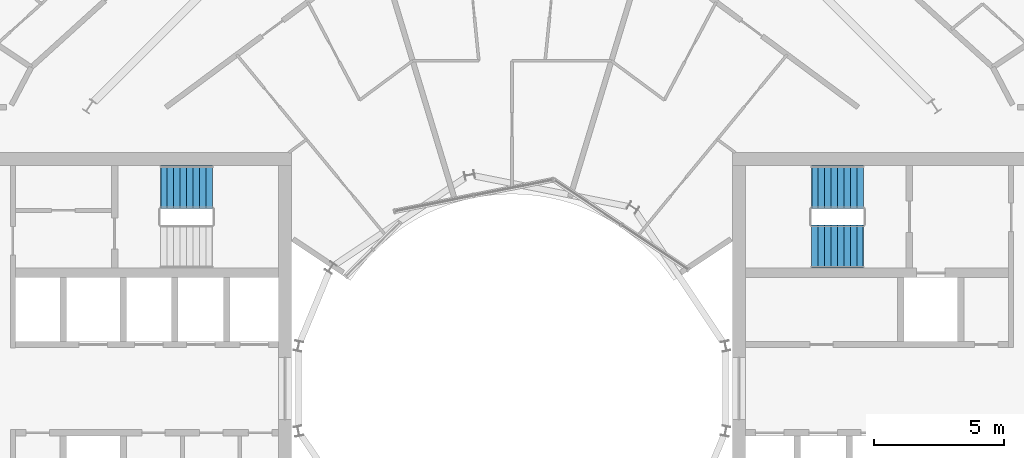
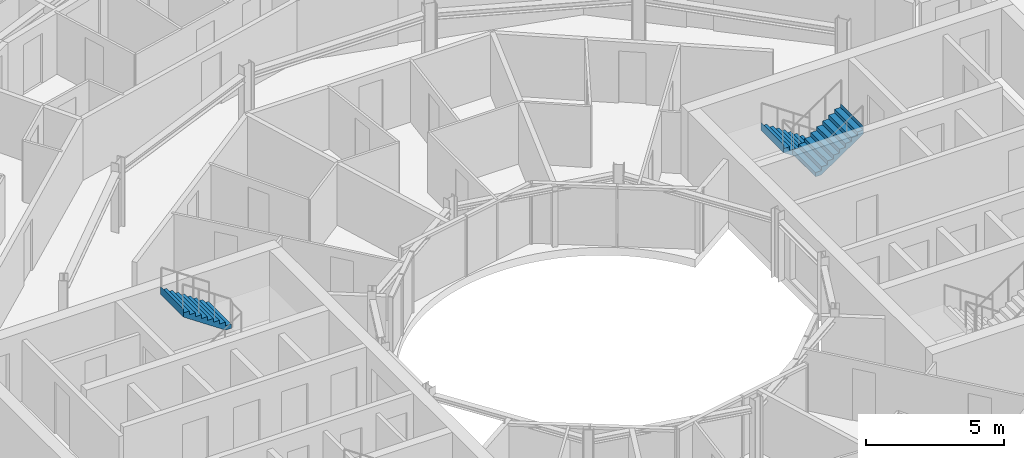
# One storey, part 25 of 27: 3 stair flights, 2 elements without a shape of their own.
"""IFC4 building model written with IfcOpenShell, lengths in metres."""

from ifc_helpers import new_model, si_unit, direction, frame, origin, place, context, subcontext, project, spatial, triangles, material, type_object, element, aggregate, save


model = new_model("IFC4")

# Units and contexts
model_context = context("Model", 3, precision=1e-05, world=origin(), true_north=direction((0.0, 1.0)))
body_context = subcontext(model_context, "Body", "Model", "MODEL_VIEW")
ifc_project = project(units=[si_unit("LENGTHUNIT", "METRE"), si_unit("AREAUNIT", "SQUARE_METRE"), si_unit("VOLUMEUNIT", "CUBIC_METRE"), si_unit("PLANEANGLEUNIT", "RADIAN"), si_unit("MASSUNIT", "GRAM", prefix="KILO")], contexts=[model_context])

# Site, building, storey
site_placement = place(None, origin())
site = spatial("IfcSite", under=ifc_project, at=site_placement, CompositionType="ELEMENT")
building_placement = place(site_placement, origin())
building = spatial("IfcBuilding", under=site, at=building_placement, Name="Maasbend Ring Residences", CompositionType="ELEMENT")
storey_placement = place(building_placement, frame((0.0, 0.0, 151.300048828125)))
storey = spatial("IfcBuildingStorey", under=building, at=storey_placement, Name="L43", CompositionType="ELEMENT", Elevation=151.300048828125)

# Stair, stair flights
ifc_material_1 = material(Name="Concrete C40/50", Category="concrete")
stair_type = type_object("IfcStairType", Name="CORE STAIR 18 RISERS", PredefinedType="HALF_TURN_STAIR", material=ifc_material_1)
stair_1_placement = place(storey_placement, origin())
stair_1 = element("IfcStair", 1, at=stair_1_placement, inside=storey, type_object=stair_type, Name="L43 Exit stair ST-E1", PredefinedType="HALF_TURN_STAIR")
ifc_material_2 = material(Name="Concrete C40/50", Category="concrete")
stair_flight_type = type_object("IfcStairFlightType", Name="CORE STAIR FLIGHT 1650", PredefinedType="STRAIGHT", material=ifc_material_2)
stair_flight_1_placement = place(storey_placement, frame((13.550048828125, 7.77490234375, 0.0), z_axis=(0.0, 0.0, 1.0), x_axis=(-1.0, 0.0, 0.0)))
stair_flight_1 = element("IfcStairFlight", 2, at=stair_flight_1_placement, type_object=stair_flight_type, Name="ST-E1 flight 1", NumberOfRisers=9, NumberOfTreads=8, PredefinedType="STRAIGHT", RiserHeight=0.169444444, TreadLength=0.25, context=body_context, shape_type="Tessellation", body=[
    triangles([(0.24072265625, 0.824951171875, -0.02001953125), (2.0029296875, 0.824951171875, 1.174560546875), (2.0029296875, 0.824951171875, 1.52490234375), (1.989990234375, 0.824951171875, 1.35546875), (1.75, 0.824951171875, 1.35546875), (1.75, 0.824951171875, 1.18603515625), (1.5, 0.824951171875, 1.18603515625), (1.5, 0.824951171875, 1.0166015625), (1.25, 0.824951171875, 1.0166015625), (1.25, 0.824951171875, 0.84716796875), (1.0, 0.824951171875, 0.84716796875), (1.0, 0.824951171875, 0.677734375), (0.75, 0.824951171875, 0.677734375), (0.75, 0.824951171875, 0.50830078125), (0.5, 0.824951171875, 0.50830078125), (0.5, 0.824951171875, 0.3388671875), (0.25, 0.824951171875, 0.3388671875), (0.25, 0.824951171875, 0.16943359375), (0.0, 0.824951171875, 0.16943359375), (0.0, 0.824951171875, 0.0), (-0.0029296875, 0.824951171875, 0.0), (-0.0029296875, 0.824951171875, -0.02001953125), (0.24072265625, 0.27490234375, -0.02001953125), (2.0029296875, 0.27490234375, 1.174560546875), (2.0029296875, 0.27490234375, 1.52490234375), (1.989990234375, 0.27490234375, 1.35546875), (1.75, 0.27490234375, 1.35546875), (1.75, 0.27490234375, 1.18603515625), (1.5, 0.27490234375, 1.18603515625), (1.5, 0.27490234375, 1.0166015625), (1.25, 0.27490234375, 1.0166015625), (1.25, 0.27490234375, 0.84716796875), (1.0, 0.27490234375, 0.84716796875), (1.0, 0.27490234375, 0.677734375), (0.75, 0.27490234375, 0.677734375), (0.75, 0.27490234375, 0.50830078125), (0.5, 0.27490234375, 0.50830078125), (0.5, 0.27490234375, 0.3388671875), (0.25, 0.27490234375, 0.3388671875), (0.25, 0.27490234375, 0.16943359375), (0.0, 0.27490234375, 0.16943359375), (0.0, 0.27490234375, 0.0), (-0.0029296875, 0.27490234375, 0.0), (-0.0029296875, 0.27490234375, -0.02001953125), (0.24072265625, -0.27490234375, -0.02001953125), (2.0029296875, -0.27490234375, 1.174560546875), (2.0029296875, -0.27490234375, 1.52490234375), (1.989990234375, -0.27490234375, 1.35546875), (1.75, -0.27490234375, 1.35546875), (1.75, -0.27490234375, 1.18603515625), (1.5, -0.27490234375, 1.18603515625), (1.5, -0.27490234375, 1.0166015625), (1.25, -0.27490234375, 1.0166015625), (1.25, -0.27490234375, 0.84716796875), (1.0, -0.27490234375, 0.84716796875), (1.0, -0.27490234375, 0.677734375), (0.75, -0.27490234375, 0.677734375), (0.75, -0.27490234375, 0.50830078125), (0.5, -0.27490234375, 0.50830078125), (0.5, -0.27490234375, 0.3388671875), (0.25, -0.27490234375, 0.3388671875), (0.25, -0.27490234375, 0.16943359375), (0.0, -0.27490234375, 0.16943359375), (0.0, -0.27490234375, 0.0), (-0.0029296875, -0.27490234375, 0.0), (-0.0029296875, -0.27490234375, -0.02001953125), (0.24072265625, -0.824951171875, -0.02001953125), (2.0029296875, -0.824951171875, 1.174560546875), (2.0029296875, -0.824951171875, 1.52490234375), (1.989990234375, -0.824951171875, 1.35546875), (1.75, -0.824951171875, 1.35546875), (1.75, -0.824951171875, 1.18603515625), (1.5, -0.824951171875, 1.18603515625), (1.5, -0.824951171875, 1.0166015625), (1.25, -0.824951171875, 1.0166015625), (1.25, -0.824951171875, 0.84716796875), (1.0, -0.824951171875, 0.84716796875), (1.0, -0.824951171875, 0.677734375), (0.75, -0.824951171875, 0.677734375), (0.75, -0.824951171875, 0.50830078125), (0.5, -0.824951171875, 0.50830078125), (0.5, -0.824951171875, 0.3388671875), (0.25, -0.824951171875, 0.3388671875), (0.25, -0.824951171875, 0.16943359375), (0.0, -0.824951171875, 0.16943359375), (0.0, -0.824951171875, 0.0), (-0.0029296875, -0.824951171875, 0.0), (-0.0029296875, -0.824951171875, -0.02001953125)], [[1, 2, 24], [1, 24, 23], [23, 24, 46], [23, 46, 45], [45, 46, 68], [45, 68, 67], [2, 3, 25], [2, 25, 24], [24, 25, 47], [24, 47, 46], [46, 47, 69], [46, 69, 68], [3, 4, 26], [3, 26, 25], [25, 26, 48], [25, 48, 47], [47, 48, 70], [47, 70, 69], [4, 5, 27], [4, 27, 26], [26, 27, 49], [26, 49, 48], [48, 49, 71], [48, 71, 70], [5, 6, 28], [5, 28, 27], [27, 28, 50], [27, 50, 49], [49, 50, 72], [49, 72, 71], [6, 7, 29], [6, 29, 28], [28, 29, 51], [28, 51, 50], [50, 51, 73], [50, 73, 72], [7, 8, 30], [7, 30, 29], [29, 30, 52], [29, 52, 51], [51, 52, 74], [51, 74, 73], [8, 9, 31], [8, 31, 30], [30, 31, 53], [30, 53, 52], [52, 53, 75], [52, 75, 74], [9, 10, 32], [9, 32, 31], [31, 32, 54], [31, 54, 53], [53, 54, 76], [53, 76, 75], [10, 11, 33], [10, 33, 32], [32, 33, 55], [32, 55, 54], [54, 55, 77], [54, 77, 76], [11, 12, 34], [11, 34, 33], [33, 34, 56], [33, 56, 55], [55, 56, 78], [55, 78, 77], [12, 13, 35], [12, 35, 34], [34, 35, 57], [34, 57, 56], [56, 57, 79], [56, 79, 78], [13, 14, 36], [13, 36, 35], [35, 36, 58], [35, 58, 57], [57, 58, 80], [57, 80, 79], [14, 15, 37], [14, 37, 36], [36, 37, 59], [36, 59, 58], [58, 59, 81], [58, 81, 80], [15, 16, 38], [15, 38, 37], [37, 38, 60], [37, 60, 59], [59, 60, 82], [59, 82, 81], [16, 17, 39], [16, 39, 38], [38, 39, 61], [38, 61, 60], [60, 61, 83], [60, 83, 82], [17, 18, 40], [17, 40, 39], [39, 40, 62], [39, 62, 61], [61, 62, 84], [61, 84, 83], [18, 19, 41], [18, 41, 40], [40, 41, 63], [40, 63, 62], [62, 63, 85], [62, 85, 84], [19, 20, 42], [19, 42, 41], [41, 42, 64], [41, 64, 63], [63, 64, 86], [63, 86, 85], [20, 21, 43], [20, 43, 42], [42, 43, 65], [42, 65, 64], [64, 65, 87], [64, 87, 86], [21, 22, 44], [21, 44, 43], [43, 44, 66], [43, 66, 65], [65, 66, 88], [65, 88, 87], [22, 1, 23], [22, 23, 44], [44, 23, 45], [44, 45, 66], [66, 45, 67], [66, 67, 88], [22, 2, 1], [2, 4, 3], [2, 5, 4], [2, 6, 5], [22, 6, 2], [6, 8, 7], [22, 8, 6], [8, 10, 9], [22, 10, 8], [10, 12, 11], [22, 12, 10], [12, 14, 13], [22, 14, 12], [14, 16, 15], [22, 16, 14], [16, 18, 17], [22, 18, 16], [18, 20, 19], [22, 20, 18], [20, 22, 21], [88, 67, 68], [68, 69, 70], [68, 70, 71], [68, 71, 72], [88, 68, 72], [72, 73, 74], [88, 72, 74], [74, 75, 76], [88, 74, 76], [76, 77, 78], [88, 76, 78], [78, 79, 80], [88, 78, 80], [80, 81, 82], [88, 80, 82], [82, 83, 84], [88, 82, 84], [84, 85, 86], [88, 84, 86], [86, 87, 88]], closed=True),
])
stair_flight_2_placement = place(storey_placement, frame((11.550048828125, 5.47509765625, 1.52490234375), z_axis=(0.0, 0.0, 1.0), x_axis=(1.0, 0.0, 0.0)))
stair_flight_2 = element("IfcStairFlight", 3, at=stair_flight_2_placement, type_object=stair_flight_type, Name="ST-E1 flight 2", NumberOfRisers=9, NumberOfTreads=8, PredefinedType="STRAIGHT", RiserHeight=0.169444444, TreadLength=0.25, context=body_context, shape_type="Tessellation", body=[
    triangles([(0.24072265625, 0.824951171875, -0.02001953125), (2.0029296875, 0.824951171875, 1.174560546875), (2.0029296875, 0.824951171875, 1.52490234375), (1.989990234375, 0.824951171875, 1.35546875), (1.75, 0.824951171875, 1.35546875), (1.75, 0.824951171875, 1.18603515625), (1.5, 0.824951171875, 1.18603515625), (1.5, 0.824951171875, 1.0166015625), (1.25, 0.824951171875, 1.0166015625), (1.25, 0.824951171875, 0.84716796875), (1.0, 0.824951171875, 0.84716796875), (1.0, 0.824951171875, 0.677734375), (0.75, 0.824951171875, 0.677734375), (0.75, 0.824951171875, 0.50830078125), (0.5, 0.824951171875, 0.50830078125), (0.5, 0.824951171875, 0.3388671875), (0.25, 0.824951171875, 0.3388671875), (0.25, 0.824951171875, 0.16943359375), (0.0, 0.824951171875, 0.16943359375), (0.0, 0.824951171875, 0.0), (-0.0029296875, 0.824951171875, 0.0), (-0.0029296875, 0.824951171875, -0.02001953125), (0.24072265625, 0.27490234375, -0.02001953125), (2.0029296875, 0.27490234375, 1.174560546875), (2.0029296875, 0.27490234375, 1.52490234375), (1.989990234375, 0.27490234375, 1.35546875), (1.75, 0.27490234375, 1.35546875), (1.75, 0.27490234375, 1.18603515625), (1.5, 0.27490234375, 1.18603515625), (1.5, 0.27490234375, 1.0166015625), (1.25, 0.27490234375, 1.0166015625), (1.25, 0.27490234375, 0.84716796875), (1.0, 0.27490234375, 0.84716796875), (1.0, 0.27490234375, 0.677734375), (0.75, 0.27490234375, 0.677734375), (0.75, 0.27490234375, 0.50830078125), (0.5, 0.27490234375, 0.50830078125), (0.5, 0.27490234375, 0.3388671875), (0.25, 0.27490234375, 0.3388671875), (0.25, 0.27490234375, 0.16943359375), (0.0, 0.27490234375, 0.16943359375), (0.0, 0.27490234375, 0.0), (-0.0029296875, 0.27490234375, 0.0), (-0.0029296875, 0.27490234375, -0.02001953125), (0.24072265625, -0.27490234375, -0.02001953125), (2.0029296875, -0.27490234375, 1.174560546875), (2.0029296875, -0.27490234375, 1.52490234375), (1.989990234375, -0.27490234375, 1.35546875), (1.75, -0.27490234375, 1.35546875), (1.75, -0.27490234375, 1.18603515625), (1.5, -0.27490234375, 1.18603515625), (1.5, -0.27490234375, 1.0166015625), (1.25, -0.27490234375, 1.0166015625), (1.25, -0.27490234375, 0.84716796875), (1.0, -0.27490234375, 0.84716796875), (1.0, -0.27490234375, 0.677734375), (0.75, -0.27490234375, 0.677734375), (0.75, -0.27490234375, 0.50830078125), (0.5, -0.27490234375, 0.50830078125), (0.5, -0.27490234375, 0.3388671875), (0.25, -0.27490234375, 0.3388671875), (0.25, -0.27490234375, 0.16943359375), (0.0, -0.27490234375, 0.16943359375), (0.0, -0.27490234375, 0.0), (-0.0029296875, -0.27490234375, 0.0), (-0.0029296875, -0.27490234375, -0.02001953125), (0.24072265625, -0.824951171875, -0.02001953125), (2.0029296875, -0.824951171875, 1.174560546875), (2.0029296875, -0.824951171875, 1.52490234375), (1.989990234375, -0.824951171875, 1.35546875), (1.75, -0.824951171875, 1.35546875), (1.75, -0.824951171875, 1.18603515625), (1.5, -0.824951171875, 1.18603515625), (1.5, -0.824951171875, 1.0166015625), (1.25, -0.824951171875, 1.0166015625), (1.25, -0.824951171875, 0.84716796875), (1.0, -0.824951171875, 0.84716796875), (1.0, -0.824951171875, 0.677734375), (0.75, -0.824951171875, 0.677734375), (0.75, -0.824951171875, 0.50830078125), (0.5, -0.824951171875, 0.50830078125), (0.5, -0.824951171875, 0.3388671875), (0.25, -0.824951171875, 0.3388671875), (0.25, -0.824951171875, 0.16943359375), (0.0, -0.824951171875, 0.16943359375), (0.0, -0.824951171875, 0.0), (-0.0029296875, -0.824951171875, 0.0), (-0.0029296875, -0.824951171875, -0.02001953125)], [[1, 2, 24], [1, 24, 23], [23, 24, 46], [23, 46, 45], [45, 46, 68], [45, 68, 67], [2, 3, 25], [2, 25, 24], [24, 25, 47], [24, 47, 46], [46, 47, 69], [46, 69, 68], [3, 4, 26], [3, 26, 25], [25, 26, 48], [25, 48, 47], [47, 48, 70], [47, 70, 69], [4, 5, 27], [4, 27, 26], [26, 27, 49], [26, 49, 48], [48, 49, 71], [48, 71, 70], [5, 6, 28], [5, 28, 27], [27, 28, 50], [27, 50, 49], [49, 50, 72], [49, 72, 71], [6, 7, 29], [6, 29, 28], [28, 29, 51], [28, 51, 50], [50, 51, 73], [50, 73, 72], [7, 8, 30], [7, 30, 29], [29, 30, 52], [29, 52, 51], [51, 52, 74], [51, 74, 73], [8, 9, 31], [8, 31, 30], [30, 31, 53], [30, 53, 52], [52, 53, 75], [52, 75, 74], [9, 10, 32], [9, 32, 31], [31, 32, 54], [31, 54, 53], [53, 54, 76], [53, 76, 75], [10, 11, 33], [10, 33, 32], [32, 33, 55], [32, 55, 54], [54, 55, 77], [54, 77, 76], [11, 12, 34], [11, 34, 33], [33, 34, 56], [33, 56, 55], [55, 56, 78], [55, 78, 77], [12, 13, 35], [12, 35, 34], [34, 35, 57], [34, 57, 56], [56, 57, 79], [56, 79, 78], [13, 14, 36], [13, 36, 35], [35, 36, 58], [35, 58, 57], [57, 58, 80], [57, 80, 79], [14, 15, 37], [14, 37, 36], [36, 37, 59], [36, 59, 58], [58, 59, 81], [58, 81, 80], [15, 16, 38], [15, 38, 37], [37, 38, 60], [37, 60, 59], [59, 60, 82], [59, 82, 81], [16, 17, 39], [16, 39, 38], [38, 39, 61], [38, 61, 60], [60, 61, 83], [60, 83, 82], [17, 18, 40], [17, 40, 39], [39, 40, 62], [39, 62, 61], [61, 62, 84], [61, 84, 83], [18, 19, 41], [18, 41, 40], [40, 41, 63], [40, 63, 62], [62, 63, 85], [62, 85, 84], [19, 20, 42], [19, 42, 41], [41, 42, 64], [41, 64, 63], [63, 64, 86], [63, 86, 85], [20, 21, 43], [20, 43, 42], [42, 43, 65], [42, 65, 64], [64, 65, 87], [64, 87, 86], [21, 22, 44], [21, 44, 43], [43, 44, 66], [43, 66, 65], [65, 66, 88], [65, 88, 87], [22, 1, 23], [22, 23, 44], [44, 23, 45], [44, 45, 66], [66, 45, 67], [66, 67, 88], [22, 2, 1], [2, 4, 3], [2, 5, 4], [2, 6, 5], [22, 6, 2], [6, 8, 7], [22, 8, 6], [8, 10, 9], [22, 10, 8], [10, 12, 11], [22, 12, 10], [12, 14, 13], [22, 14, 12], [14, 16, 15], [22, 16, 14], [16, 18, 17], [22, 18, 16], [18, 20, 19], [22, 20, 18], [20, 22, 21], [88, 67, 68], [68, 69, 70], [68, 70, 71], [68, 71, 72], [88, 68, 72], [72, 73, 74], [88, 72, 74], [74, 75, 76], [88, 74, 76], [76, 77, 78], [88, 76, 78], [78, 79, 80], [88, 78, 80], [80, 81, 82], [88, 80, 82], [82, 83, 84], [88, 82, 84], [84, 85, 86], [88, 84, 86], [86, 87, 88]], closed=True),
])
aggregate(stair_1, [stair_flight_1, stair_flight_2])

# Stair, stair flight
stair_2_placement = place(storey_placement, origin())
stair_2 = element("IfcStair", 4, at=stair_2_placement, inside=storey, type_object=stair_type, Name="L43 Exit stair ST-W2", PredefinedType="HALF_TURN_STAIR")
stair_flight_3_placement = place(storey_placement, frame((-11.550048828125, 7.77490234375, 1.52490234375), z_axis=(0.0, 0.0, 1.0), x_axis=(-1.0, 0.0, 0.0)))
stair_flight_3 = element("IfcStairFlight", 5, at=stair_flight_3_placement, type_object=stair_flight_type, Name="ST-W2 flight 2", NumberOfRisers=9, NumberOfTreads=8, PredefinedType="STRAIGHT", RiserHeight=0.169444444, TreadLength=0.25, context=body_context, shape_type="Tessellation", body=[
    triangles([(0.24072265625, 0.824951171875, -0.02001953125), (2.0029296875, 0.824951171875, 1.174560546875), (2.0029296875, 0.824951171875, 1.52490234375), (1.989990234375, 0.824951171875, 1.35546875), (1.75, 0.824951171875, 1.35546875), (1.75, 0.824951171875, 1.18603515625), (1.5, 0.824951171875, 1.18603515625), (1.5, 0.824951171875, 1.0166015625), (1.25, 0.824951171875, 1.0166015625), (1.25, 0.824951171875, 0.84716796875), (1.0, 0.824951171875, 0.84716796875), (1.0, 0.824951171875, 0.677734375), (0.75, 0.824951171875, 0.677734375), (0.75, 0.824951171875, 0.50830078125), (0.5, 0.824951171875, 0.50830078125), (0.5, 0.824951171875, 0.3388671875), (0.25, 0.824951171875, 0.3388671875), (0.25, 0.824951171875, 0.16943359375), (0.0, 0.824951171875, 0.16943359375), (0.0, 0.824951171875, 0.0), (-0.0029296875, 0.824951171875, 0.0), (-0.0029296875, 0.824951171875, -0.02001953125), (0.24072265625, 0.27490234375, -0.02001953125), (2.0029296875, 0.27490234375, 1.174560546875), (2.0029296875, 0.27490234375, 1.52490234375), (1.989990234375, 0.27490234375, 1.35546875), (1.75, 0.27490234375, 1.35546875), (1.75, 0.27490234375, 1.18603515625), (1.5, 0.27490234375, 1.18603515625), (1.5, 0.27490234375, 1.0166015625), (1.25, 0.27490234375, 1.0166015625), (1.25, 0.27490234375, 0.84716796875), (1.0, 0.27490234375, 0.84716796875), (1.0, 0.27490234375, 0.677734375), (0.75, 0.27490234375, 0.677734375), (0.75, 0.27490234375, 0.50830078125), (0.5, 0.27490234375, 0.50830078125), (0.5, 0.27490234375, 0.3388671875), (0.25, 0.27490234375, 0.3388671875), (0.25, 0.27490234375, 0.16943359375), (0.0, 0.27490234375, 0.16943359375), (0.0, 0.27490234375, 0.0), (-0.0029296875, 0.27490234375, 0.0), (-0.0029296875, 0.27490234375, -0.02001953125), (0.24072265625, -0.27490234375, -0.02001953125), (2.0029296875, -0.27490234375, 1.174560546875), (2.0029296875, -0.27490234375, 1.52490234375), (1.989990234375, -0.27490234375, 1.35546875), (1.75, -0.27490234375, 1.35546875), (1.75, -0.27490234375, 1.18603515625), (1.5, -0.27490234375, 1.18603515625), (1.5, -0.27490234375, 1.0166015625), (1.25, -0.27490234375, 1.0166015625), (1.25, -0.27490234375, 0.84716796875), (1.0, -0.27490234375, 0.84716796875), (1.0, -0.27490234375, 0.677734375), (0.75, -0.27490234375, 0.677734375), (0.75, -0.27490234375, 0.50830078125), (0.5, -0.27490234375, 0.50830078125), (0.5, -0.27490234375, 0.3388671875), (0.25, -0.27490234375, 0.3388671875), (0.25, -0.27490234375, 0.16943359375), (0.0, -0.27490234375, 0.16943359375), (0.0, -0.27490234375, 0.0), (-0.0029296875, -0.27490234375, 0.0), (-0.0029296875, -0.27490234375, -0.02001953125), (0.24072265625, -0.824951171875, -0.02001953125), (2.0029296875, -0.824951171875, 1.174560546875), (2.0029296875, -0.824951171875, 1.52490234375), (1.989990234375, -0.824951171875, 1.35546875), (1.75, -0.824951171875, 1.35546875), (1.75, -0.824951171875, 1.18603515625), (1.5, -0.824951171875, 1.18603515625), (1.5, -0.824951171875, 1.0166015625), (1.25, -0.824951171875, 1.0166015625), (1.25, -0.824951171875, 0.84716796875), (1.0, -0.824951171875, 0.84716796875), (1.0, -0.824951171875, 0.677734375), (0.75, -0.824951171875, 0.677734375), (0.75, -0.824951171875, 0.50830078125), (0.5, -0.824951171875, 0.50830078125), (0.5, -0.824951171875, 0.3388671875), (0.25, -0.824951171875, 0.3388671875), (0.25, -0.824951171875, 0.16943359375), (0.0, -0.824951171875, 0.16943359375), (0.0, -0.824951171875, 0.0), (-0.0029296875, -0.824951171875, 0.0), (-0.0029296875, -0.824951171875, -0.02001953125)], [[1, 2, 24], [1, 24, 23], [23, 24, 46], [23, 46, 45], [45, 46, 68], [45, 68, 67], [2, 3, 25], [2, 25, 24], [24, 25, 47], [24, 47, 46], [46, 47, 69], [46, 69, 68], [3, 4, 26], [3, 26, 25], [25, 26, 48], [25, 48, 47], [47, 48, 70], [47, 70, 69], [4, 5, 27], [4, 27, 26], [26, 27, 49], [26, 49, 48], [48, 49, 71], [48, 71, 70], [5, 6, 28], [5, 28, 27], [27, 28, 50], [27, 50, 49], [49, 50, 72], [49, 72, 71], [6, 7, 29], [6, 29, 28], [28, 29, 51], [28, 51, 50], [50, 51, 73], [50, 73, 72], [7, 8, 30], [7, 30, 29], [29, 30, 52], [29, 52, 51], [51, 52, 74], [51, 74, 73], [8, 9, 31], [8, 31, 30], [30, 31, 53], [30, 53, 52], [52, 53, 75], [52, 75, 74], [9, 10, 32], [9, 32, 31], [31, 32, 54], [31, 54, 53], [53, 54, 76], [53, 76, 75], [10, 11, 33], [10, 33, 32], [32, 33, 55], [32, 55, 54], [54, 55, 77], [54, 77, 76], [11, 12, 34], [11, 34, 33], [33, 34, 56], [33, 56, 55], [55, 56, 78], [55, 78, 77], [12, 13, 35], [12, 35, 34], [34, 35, 57], [34, 57, 56], [56, 57, 79], [56, 79, 78], [13, 14, 36], [13, 36, 35], [35, 36, 58], [35, 58, 57], [57, 58, 80], [57, 80, 79], [14, 15, 37], [14, 37, 36], [36, 37, 59], [36, 59, 58], [58, 59, 81], [58, 81, 80], [15, 16, 38], [15, 38, 37], [37, 38, 60], [37, 60, 59], [59, 60, 82], [59, 82, 81], [16, 17, 39], [16, 39, 38], [38, 39, 61], [38, 61, 60], [60, 61, 83], [60, 83, 82], [17, 18, 40], [17, 40, 39], [39, 40, 62], [39, 62, 61], [61, 62, 84], [61, 84, 83], [18, 19, 41], [18, 41, 40], [40, 41, 63], [40, 63, 62], [62, 63, 85], [62, 85, 84], [19, 20, 42], [19, 42, 41], [41, 42, 64], [41, 64, 63], [63, 64, 86], [63, 86, 85], [20, 21, 43], [20, 43, 42], [42, 43, 65], [42, 65, 64], [64, 65, 87], [64, 87, 86], [21, 22, 44], [21, 44, 43], [43, 44, 66], [43, 66, 65], [65, 66, 88], [65, 88, 87], [22, 1, 23], [22, 23, 44], [44, 23, 45], [44, 45, 66], [66, 45, 67], [66, 67, 88], [22, 2, 1], [2, 4, 3], [2, 5, 4], [2, 6, 5], [22, 6, 2], [6, 8, 7], [22, 8, 6], [8, 10, 9], [22, 10, 8], [10, 12, 11], [22, 12, 10], [12, 14, 13], [22, 14, 12], [14, 16, 15], [22, 16, 14], [16, 18, 17], [22, 18, 16], [18, 20, 19], [22, 20, 18], [20, 22, 21], [88, 67, 68], [68, 69, 70], [68, 70, 71], [68, 71, 72], [88, 68, 72], [72, 73, 74], [88, 72, 74], [74, 75, 76], [88, 74, 76], [76, 77, 78], [88, 76, 78], [78, 79, 80], [88, 78, 80], [80, 81, 82], [88, 80, 82], [82, 83, 84], [88, 82, 84], [84, 85, 86], [88, 84, 86], [86, 87, 88]], closed=True),
])
aggregate(stair_2, [stair_flight_3])

save(model, "model.ifc")
